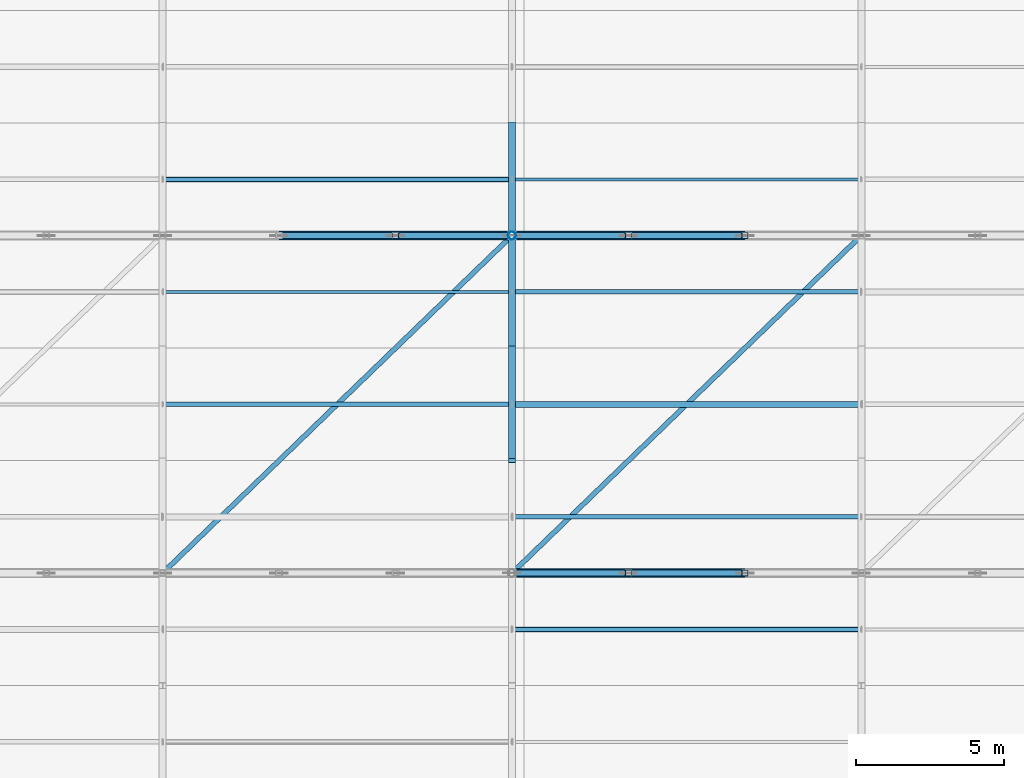
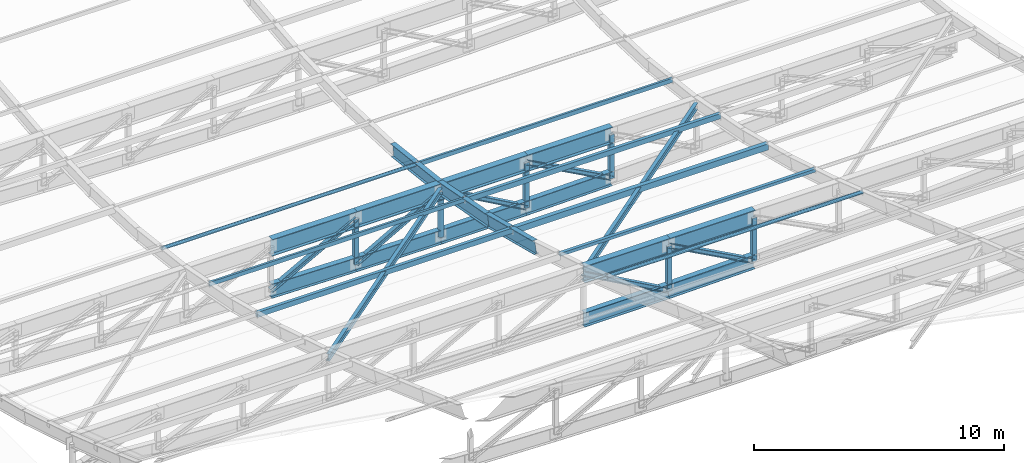
# One storey, part 14 of 65: 25 members, 12 beams.
"""IFC4 building model written with IfcOpenShell, lengths in metres."""

from ifc_helpers import new_model, si_unit, direction, frame, origin, origin_2d, place, context, subcontext, project, spatial, hollow_rectangle, hollow_circle, i_section, extrude, material, material_profile, profile_set, type_object, element, save


model = new_model("IFC4")

# Units and contexts
model_context = context("Model", 3, precision=1e-05, world=origin(), true_north=direction((0.0, 1.0)))
body_context = subcontext(model_context, "Body", "Model", "MODEL_VIEW")
ifc_project = project(units=[si_unit("LENGTHUNIT", "METRE"), si_unit("AREAUNIT", "SQUARE_METRE"), si_unit("VOLUMEUNIT", "CUBIC_METRE"), si_unit("PLANEANGLEUNIT", "RADIAN"), si_unit("MASSUNIT", "GRAM", prefix="KILO"), si_unit("POWERUNIT", "WATT"), si_unit("THERMODYNAMICTEMPERATUREUNIT", "KELVIN")], contexts=[model_context])

# Site, building, storey
site_placement = place(None, origin())
site = spatial("IfcSite", under=ifc_project, at=site_placement, CompositionType="ELEMENT")
building_placement = place(site_placement, origin())
building = spatial("IfcBuilding", under=site, at=building_placement, Name="Kelmbourne Parkland Aquatics Centre", CompositionType="ELEMENT")
storey_placement = place(building_placement, frame((0.0, 0.0, 27.0)))
storey = spatial("IfcBuildingStorey", under=building, at=storey_placement, Name="RF", CompositionType="ELEMENT", Elevation=27.0)

# Members
ifc_material_1 = material(Name="Structural steel AS/NZS 3679.1 Grade 300", Category="steel")
ifc_material_profile_1 = material_profile(ifc_material_1, i_section(OverallWidth=0.166015625, OverallDepth=0.306884765625, WebThickness=0.006591796875, FlangeThickness=0.01171875, at=origin_2d()), Name="310UB46.2")
ifc_profile_set_1 = profile_set([ifc_material_profile_1], Name="Structural steel AS/NZS 3679.1 Grade 300")
member_type_1 = type_object("IfcMemberType", Name="MB-BR-I", PredefinedType="BRACE", material=ifc_profile_set_1)
member_1_placement = place(storey_placement, frame((139.80712890625, 35.0068359375, -9.568359375), z_axis=(0.708582480884, 0.684569204059, -0.171101936399), x_axis=(-0.694815416631, 0.719188109476, 0.0)))
element("IfcMember", 1, at=member_1_placement, inside=storey, type_object=member_type_1, Name="Roof wind diagonal brace B4-36", PredefinedType="BRACE", context=body_context, shape_type="SweptSolid", body=[
    extrude(i_section(OverallWidth=0.166015625, OverallDepth=0.306884765625, WebThickness=0.006591796875, FlangeThickness=0.01171875, at=origin_2d()), origin(), (0.0, 0.0, 1.0), 16.633056640625),
])
member_2_placement = place(storey_placement, frame((151.607177734375, 35.0068359375, -9.568359375), z_axis=(0.708575172413, 0.684576324029, -0.171103715972), x_axis=(-0.694822861116, 0.719180917204, 0.0)))
element("IfcMember", 2, at=member_2_placement, inside=storey, type_object=member_type_1, Name="Roof wind diagonal brace B4-69", PredefinedType="BRACE", context=body_context, shape_type="SweptSolid", body=[
    extrude(i_section(OverallWidth=0.166015625, OverallDepth=0.306884765625, WebThickness=0.006591796875, FlangeThickness=0.01171875, at=origin_2d()), origin(), (0.0, 0.0, 1.0), 16.6328125),
])
ifc_material_profile_2 = material_profile(ifc_material_1, i_section(OverallWidth=0.205078125, OverallDepth=0.2099609375, WebThickness=0.00927734375, FlangeThickness=0.01416015625, at=origin_2d()), Name="200UC59.5")
ifc_profile_set_2 = profile_set([ifc_material_profile_2], Name="Structural steel AS/NZS 3679.1 Grade 300")
member_type_2 = type_object("IfcMemberType", Name="MB-DIAG3", PredefinedType="STRUT", material=ifc_profile_set_2)
member_3_placement = place(storey_placement, frame((151.60009765625, 35.0, -9.566650390625), z_axis=(0.87212726535, 0.0, -0.489279095235), x_axis=(0.0, 1.0, 0.0)))
element("IfcMember", 3, at=member_3_placement, inside=storey, type_object=member_type_2, Name="Roof truss R03 web diagonal 7", PredefinedType="STRUT", context=body_context, shape_type="SweptSolid", body=[
    extrude(i_section(OverallWidth=0.205078125, OverallDepth=0.2099609375, WebThickness=0.00927734375, FlangeThickness=0.01416015625, at=origin_2d()), origin(), (0.0, 0.0, 1.0), 4.509765625),
])
member_4_placement = place(storey_placement, frame((155.533203125, 35.0, -9.566650390625), z_axis=(0.878819450955, 0.0, -0.477154453634), x_axis=(0.0, 1.0, 0.0)))
element("IfcMember", 4, at=member_4_placement, inside=storey, type_object=member_type_2, Name="Roof truss R03 web diagonal 8", PredefinedType="STRUT", context=body_context, shape_type="SweptSolid", body=[
    extrude(i_section(OverallWidth=0.205078125, OverallDepth=0.2099609375, WebThickness=0.00927734375, FlangeThickness=0.01416015625, at=origin_2d()), origin(), (0.0, 0.0, 1.0), 4.47607421875),
])
member_5_placement = place(storey_placement, frame((143.7333984375, 46.39990234375, -14.551513671875), z_axis=(0.878829905293, 0.0, 0.477135198411), x_axis=(0.0, 1.0, 0.0)))
element("IfcMember", 5, at=member_5_placement, inside=storey, type_object=member_type_2, Name="Roof truss R04 web diagonal 5", PredefinedType="STRUT", context=body_context, shape_type="SweptSolid", body=[
    extrude(i_section(OverallWidth=0.205078125, OverallDepth=0.2099609375, WebThickness=0.00927734375, FlangeThickness=0.01416015625, at=origin_2d()), origin(), (0.0, 0.0, 1.0), 4.4755859375),
])
for number, where, z_axis, x_axis, name in (
    (6, (147.666748046875, 46.39990234375, -14.622314453125), (0.872163322486, 0.0, 0.489214818776), (0.0, 1.0, 0.0), "Roof truss R04 web diagonal 6"),
    (7, (151.60009765625, 46.39990234375, -12.416015625), (0.872150365461, 0.0, -0.489237917608), (0.0, 1.0, 0.0), "Roof truss R04 web diagonal 7"),
):
    element("IfcMember", number, at=place(storey_placement, frame(where, z_axis=z_axis, x_axis=x_axis)), inside=storey, type_object=member_type_2, Name=name, PredefinedType="STRUT", context=body_context, shape_type="SweptSolid", body=[
        extrude(i_section(OverallWidth=0.205078125, OverallDepth=0.2099609375, WebThickness=0.00927734375, FlangeThickness=0.01416015625, at=origin_2d()), origin(), (0.0, 0.0, 1.0), 4.509765625),
    ])
member_6_placement = place(storey_placement, frame((155.533203125, 46.39990234375, -12.416015625), z_axis=(0.878842322789, 0.0, -0.477112326057), x_axis=(0.0, 1.0, 0.0)))
element("IfcMember", 8, at=member_6_placement, inside=storey, type_object=member_type_2, Name="Roof truss R04 web diagonal 8", PredefinedType="STRUT", context=body_context, shape_type="SweptSolid", body=[
    extrude(i_section(OverallWidth=0.205078125, OverallDepth=0.2099609375, WebThickness=0.00927734375, FlangeThickness=0.01416015625, at=origin_2d()), origin(), (0.0, 0.0, 1.0), 4.475830078125),
])
ifc_material_profile_3 = material_profile(ifc_material_1, i_section(OverallWidth=0.22900390625, OverallDepth=0.612060546875, WebThickness=0.011962890625, FlangeThickness=0.01953125, at=origin_2d()), Name="610UB125")
ifc_profile_set_3 = profile_set([ifc_material_profile_3], Name="Structural steel AS/NZS 3679.1 Grade 300")
member_type_3 = type_object("IfcMemberType", Name="MB-LRIB", PredefinedType="STRUT", material=ifc_profile_set_3)
member_7_placement = place(storey_placement, frame((151.60009765625, 38.800048828125, -10.603271484375), z_axis=(0.0, 0.96918642233, -0.246328396193), x_axis=(-1.0, 0.0, 0.0)))
element("IfcMember", 9, at=member_7_placement, inside=storey, type_object=member_type_3, Name="Longitudinal wave rib K6 strip 11", PredefinedType="STRUT", context=body_context, shape_type="SweptSolid", body=[
    extrude(i_section(OverallWidth=0.22900390625, OverallDepth=0.612060546875, WebThickness=0.011962890625, FlangeThickness=0.01953125, at=origin_2d()), origin(), (0.0, 0.0, 1.0), 3.9208984375),
])
member_8_placement = place(storey_placement, frame((151.60009765625, 42.60009765625, -11.569091796875), z_axis=(0.0, 0.982194109661, -0.187868919588), x_axis=(-1.0, 0.0, 0.0)))
element("IfcMember", 10, at=member_8_placement, inside=storey, type_object=member_type_3, Name="Longitudinal wave rib K6 strip 12", PredefinedType="STRUT", context=body_context, shape_type="SweptSolid", body=[
    extrude(i_section(OverallWidth=0.22900390625, OverallDepth=0.612060546875, WebThickness=0.011962890625, FlangeThickness=0.01953125, at=origin_2d()), origin(), (0.0, 0.0, 1.0), 3.86865234375),
])
member_9_placement = place(storey_placement, frame((151.60009765625, 46.39990234375, -12.2958984375), z_axis=(0.0, 0.993025491234, -0.117899846309), x_axis=(-1.0, 0.0, 0.0)))
element("IfcMember", 11, at=member_9_placement, inside=storey, type_object=member_type_3, Name="Longitudinal wave rib K6 strip 13", PredefinedType="STRUT", context=body_context, shape_type="SweptSolid", body=[
    extrude(i_section(OverallWidth=0.22900390625, OverallDepth=0.612060546875, WebThickness=0.011962890625, FlangeThickness=0.01953125, at=origin_2d()), origin(), (0.0, 0.0, 1.0), 3.82666015625),
])
ifc_material_2 = material(Name="Cold-formed hollow steel AS/NZS 1163 C350L0", Category="steel")
ifc_material_profile_4 = material_profile(ifc_material_2, hollow_rectangle(XDim=0.199951171875, YDim=0.199951171875, WallThickness=0.010009765625, at=origin_2d()), Name="SHS 200x200x10.0")
ifc_profile_set_4 = profile_set([ifc_material_profile_4], Name="Cold-formed hollow steel AS/NZS 1163 C350L0")
member_type_4 = type_object("IfcMemberType", Name="MB-POST1", PredefinedType="STRUT", material=ifc_profile_set_4)
member_10_placement = place(storey_placement, frame((155.533203125, 35.0, -11.773193359375), z_axis=(0.0, 0.0, 1.0), x_axis=(1.0, 0.0, 0.0)))
element("IfcMember", 12, at=member_10_placement, inside=storey, type_object=member_type_4, Name="Roof truss R03 vertical post 7", PredefinedType="STRUT", context=body_context, shape_type="SweptSolid", body=[
    extrude(hollow_rectangle(XDim=0.199951171875, YDim=0.199951171875, WallThickness=0.010009765625, at=origin_2d()), origin(), (0.0, 0.0, 1.0), 2.20654296875),
])
member_11_placement = place(storey_placement, frame((159.466796875, 35.0, -11.702392578125), z_axis=(0.0, 0.0, 1.0), x_axis=(1.0, 0.0, 0.0)))
element("IfcMember", 13, at=member_11_placement, inside=storey, type_object=member_type_4, Name="Roof truss R03 vertical post 8", PredefinedType="STRUT", context=body_context, shape_type="SweptSolid", body=[
    extrude(hollow_rectangle(XDim=0.199951171875, YDim=0.199951171875, WallThickness=0.010009765625, at=origin_2d()), origin(), (0.0, 0.0, 1.0), 2.1357421875),
])
for number, where, z_axis, x_axis, name in (
    (14, (147.666748046875, 46.39990234375, -14.622314453125), (0.0, 0.0, 1.0), (1.0, 0.0, 0.0), "Roof truss R04 vertical post 5"),
    (15, (155.533203125, 46.39990234375, -14.622314453125), (0.0, 0.0, 1.0), (1.0, 0.0, 0.0), "Roof truss R04 vertical post 7"),
):
    element("IfcMember", number, at=place(storey_placement, frame(where, z_axis=z_axis, x_axis=x_axis)), inside=storey, type_object=member_type_4, Name=name, PredefinedType="STRUT", context=body_context, shape_type="SweptSolid", body=[
        extrude(hollow_rectangle(XDim=0.199951171875, YDim=0.199951171875, WallThickness=0.010009765625, at=origin_2d()), origin(), (0.0, 0.0, 1.0), 2.206298828125),
    ])
member_12_placement = place(storey_placement, frame((159.466796875, 46.39990234375, -14.551513671875), z_axis=(0.0, 0.0, 1.0), x_axis=(1.0, 0.0, 0.0)))
element("IfcMember", 16, at=member_12_placement, inside=storey, type_object=member_type_4, Name="Roof truss R04 vertical post 8", PredefinedType="STRUT", context=body_context, shape_type="SweptSolid", body=[
    extrude(hollow_rectangle(XDim=0.199951171875, YDim=0.199951171875, WallThickness=0.010009765625, at=origin_2d()), origin(), (0.0, 0.0, 1.0), 2.135498046875),
])
ifc_material_profile_5 = material_profile(ifc_material_2, hollow_circle(Radius=0.136474609375, WallThickness=0.00927734375, at=origin_2d()), Name="CHS 273.1x9.3")
ifc_profile_set_5 = profile_set([ifc_material_profile_5], Name="Cold-formed hollow steel AS/NZS 1163 C350L0")
member_type_5 = type_object("IfcMemberType", Name="MB-POST2", PredefinedType="STRUT", material=ifc_profile_set_5)
member_13_placement = place(storey_placement, frame((151.60009765625, 46.39990234375, -14.64599609375), z_axis=(0.0, 0.0, 1.0), x_axis=(1.0, 0.0, 0.0)))
element("IfcMember", 17, at=member_13_placement, inside=storey, type_object=member_type_5, Name="Roof truss R04 vertical post 6", PredefinedType="STRUT", context=body_context, shape_type="SweptSolid", body=[
    extrude(hollow_circle(Radius=0.136474609375, WallThickness=0.00927734375, at=origin_2d()), origin(), (0.0, 0.0, 1.0), 2.22998046875),
])
ifc_material_profile_6 = material_profile(ifc_material_2, hollow_rectangle(XDim=0.10009765625, YDim=0.199951171875, WallThickness=0.006103515625, at=origin_2d()), Name="RHS 200x100x6.0")
ifc_profile_set_6 = profile_set([ifc_material_profile_6], Name="Cold-formed hollow steel AS/NZS 1163 C350L0")
member_type_6 = type_object("IfcMemberType", Name="MB-PUR1", PredefinedType="PURLIN", material=ifc_profile_set_6)
member_14_placement = place(storey_placement, frame((139.800048828125, 44.5, -11.722412109375), z_axis=(1.0, 0.0, 0.0), x_axis=(0.0, 1.0, 0.0)))
element("IfcMember", 18, at=member_14_placement, inside=storey, type_object=member_type_6, Name="Wave roof purlin S12-G2", PredefinedType="PURLIN", context=body_context, shape_type="SweptSolid", body=[
    extrude(hollow_rectangle(XDim=0.10009765625, YDim=0.199951171875, WallThickness=0.006103515625, at=origin_2d()), origin(), (0.0, 0.0, 1.0), 11.800048828125),
])
member_15_placement = place(storey_placement, frame((151.60009765625, 48.300048828125, -12.3115234375), z_axis=(1.0, 0.0, 0.0), x_axis=(0.0, 1.0, 0.0)))
element("IfcMember", 19, at=member_15_placement, inside=storey, type_object=member_type_6, Name="Wave roof purlin S13-G3", PredefinedType="PURLIN", context=body_context, shape_type="SweptSolid", body=[
    extrude(hollow_rectangle(XDim=0.10009765625, YDim=0.199951171875, WallThickness=0.006103515625, at=origin_2d()), origin(), (0.0, 0.0, 1.0), 11.7998046875),
])
ifc_material_profile_7 = material_profile(ifc_material_2, hollow_rectangle(XDim=0.14990234375, YDim=0.25, WallThickness=0.009033203125, at=origin_2d()), Name="RHS 250x150x9.0")
ifc_profile_set_7 = profile_set([ifc_material_profile_7], Name="Cold-formed hollow steel AS/NZS 1163 C350L0")
member_type_7 = type_object("IfcMemberType", Name="MB-PUR2", PredefinedType="PURLIN", material=ifc_profile_set_7)
member_16_placement = place(storey_placement, frame((139.800048828125, 40.699951171875, -10.9013671875), z_axis=(1.0, 0.0, 0.0), x_axis=(0.0, 1.0, 0.0)))
element("IfcMember", 20, at=member_16_placement, inside=storey, type_object=member_type_7, Name="Wave roof purlin S11-G2", PredefinedType="PURLIN", context=body_context, shape_type="SweptSolid", body=[
    extrude(hollow_rectangle(XDim=0.14990234375, YDim=0.25, WallThickness=0.009033203125, at=origin_2d()), origin(), (0.0, 0.0, 1.0), 11.800048828125),
])
member_17_placement = place(storey_placement, frame((151.60009765625, 44.5, -11.74755859375), z_axis=(1.0, 0.0, 0.0), x_axis=(0.0, 1.0, 0.0)))
element("IfcMember", 21, at=member_17_placement, inside=storey, type_object=member_type_7, Name="Wave roof purlin S12-G3", PredefinedType="PURLIN", context=body_context, shape_type="SweptSolid", body=[
    extrude(hollow_rectangle(XDim=0.14990234375, YDim=0.25, WallThickness=0.009033203125, at=origin_2d()), origin(), (0.0, 0.0, 1.0), 11.7998046875),
])
ifc_material_profile_8 = material_profile(ifc_material_2, hollow_rectangle(XDim=0.199951171875, YDim=0.300048828125, WallThickness=0.010009765625, at=origin_2d()), Name="RHS 300x200x10.0")
ifc_profile_set_8 = profile_set([ifc_material_profile_8], Name="Cold-formed hollow steel AS/NZS 1163 C350L0")
member_type_8 = type_object("IfcMemberType", Name="MB-PUR3", PredefinedType="PURLIN", material=ifc_profile_set_8)
member_18_placement = place(storey_placement, frame((151.60009765625, 40.699951171875, -10.92626953125), z_axis=(1.0, 0.0, 0.0), x_axis=(0.0, 1.0, 0.0)))
element("IfcMember", 22, at=member_18_placement, inside=storey, type_object=member_type_8, Name="Wave roof purlin S11-G3", PredefinedType="PURLIN", context=body_context, shape_type="SweptSolid", body=[
    extrude(hollow_rectangle(XDim=0.199951171875, YDim=0.300048828125, WallThickness=0.010009765625, at=origin_2d()), origin(), (0.0, 0.0, 1.0), 11.7998046875),
])
ifc_material_profile_9 = material_profile(ifc_material_2, hollow_rectangle(XDim=0.14990234375, YDim=0.14990234375, WallThickness=0.009033203125, at=origin_2d()), Name="SHS 150x150x9.0")
ifc_profile_set_9 = profile_set([ifc_material_profile_9], Name="Cold-formed hollow steel AS/NZS 1163 C350L0")
member_type_9 = type_object("IfcMemberType", Name="MB-PUR4", PredefinedType="PURLIN", material=ifc_profile_set_9)
member_19_placement = place(storey_placement, frame((151.60009765625, 36.89990234375, -9.7900390625), z_axis=(1.0, 0.0, 0.0), x_axis=(0.0, 1.0, 0.0)))
element("IfcMember", 23, at=member_19_placement, inside=storey, type_object=member_type_9, Name="Wave roof purlin S10-G3", PredefinedType="PURLIN", context=body_context, shape_type="SweptSolid", body=[
    extrude(hollow_rectangle(XDim=0.14990234375, YDim=0.14990234375, WallThickness=0.009033203125, at=origin_2d()), origin(), (0.0, 0.0, 1.0), 11.7998046875),
])
ifc_material_profile_10 = material_profile(ifc_material_2, hollow_circle(Radius=0.084228515625, WallThickness=0.007080078125, at=origin_2d()), Name="CHS 168.3x7.1")
ifc_profile_set_10 = profile_set([ifc_material_profile_10], Name="Cold-formed hollow steel AS/NZS 1163 C350L0")
member_type_10 = type_object("IfcMemberType", Name="MB-PUR5", PredefinedType="PURLIN", material=ifc_profile_set_10)
member_20_placement = place(storey_placement, frame((151.60009765625, 33.10009765625, -8.576171875), z_axis=(1.0, 0.0, 0.0), x_axis=(0.0, 1.0, 0.0)))
element("IfcMember", 24, at=member_20_placement, inside=storey, type_object=member_type_10, Name="Wave roof purlin S09-G3", PredefinedType="PURLIN", context=body_context, shape_type="SweptSolid", body=[
    extrude(hollow_circle(Radius=0.084228515625, WallThickness=0.007080078125, at=origin_2d()), origin(), (0.0, 0.0, 1.0), 11.7998046875),
])
member_21_placement = place(storey_placement, frame((139.800048828125, 48.300048828125, -12.295654296875), z_axis=(1.0, 0.0, 0.0), x_axis=(0.0, 1.0, 0.0)))
element("IfcMember", 25, at=member_21_placement, inside=storey, type_object=member_type_10, Name="Wave roof purlin S13-G2", PredefinedType="PURLIN", context=body_context, shape_type="SweptSolid", body=[
    extrude(hollow_circle(Radius=0.084228515625, WallThickness=0.007080078125, at=origin_2d()), origin(), (0.0, 0.0, 1.0), 11.800048828125),
])

# Beams
ifc_material_3 = material(Name="Welded plate steel AS/NZS 3678 Grade 350", Category="steel")
ifc_material_profile_11 = material_profile(ifc_material_3, i_section(OverallWidth=0.25, OverallDepth=0.699951171875, WebThickness=0.010009765625, FlangeThickness=0.02001953125, at=origin_2d()), Name="700WB130")
ifc_profile_set_11 = profile_set([ifc_material_profile_11], Name="Welded plate steel AS/NZS 3678 Grade 350")
beam_type_1 = type_object("IfcBeamType", Name="TR-BC2", PredefinedType="BEAM", material=ifc_profile_set_11)
beam_1_placement = place(storey_placement, frame((151.60009765625, 35.0, -11.796630859375), z_axis=(0.999982245444, 0.0, 0.005958925857), x_axis=(0.0, 1.0, 0.0)))
element("IfcBeam", 26, at=beam_1_placement, inside=storey, type_object=beam_type_1, Name="Roof truss R03 bottom chord 7", PredefinedType="BEAM", context=body_context, shape_type="SweptSolid", body=[
    extrude(i_section(OverallWidth=0.25, OverallDepth=0.699951171875, WebThickness=0.010009765625, FlangeThickness=0.02001953125, at=origin_2d()), origin(), (0.0, 0.0, 1.0), 3.93310546875),
])
beam_2_placement = place(storey_placement, frame((155.533203125, 35.0, -11.773193359375), z_axis=(0.999838057221, 0.0, 0.017996092142), x_axis=(0.0, 1.0, 0.0)))
element("IfcBeam", 27, at=beam_2_placement, inside=storey, type_object=beam_type_1, Name="Roof truss R03 bottom chord 8", PredefinedType="BEAM", context=body_context, shape_type="SweptSolid", body=[
    extrude(i_section(OverallWidth=0.25, OverallDepth=0.699951171875, WebThickness=0.010009765625, FlangeThickness=0.02001953125, at=origin_2d()), origin(), (0.0, 0.0, 1.0), 3.934326171875),
])
beam_3_placement = place(storey_placement, frame((143.7333984375, 46.39990234375, -14.551513671875), z_axis=(0.999838037122, 0.0, -0.017997208787), x_axis=(0.0, 1.0, 0.0)))
element("IfcBeam", 28, at=beam_3_placement, inside=storey, type_object=beam_type_1, Name="Roof truss R04 bottom chord 5", PredefinedType="BEAM", context=body_context, shape_type="SweptSolid", body=[
    extrude(i_section(OverallWidth=0.25, OverallDepth=0.699951171875, WebThickness=0.010009765625, FlangeThickness=0.02001953125, at=origin_2d()), origin(), (0.0, 0.0, 1.0), 3.93408203125),
])
beam_4_placement = place(storey_placement, frame((147.666748046875, 46.39990234375, -14.622314453125), z_axis=(0.999981875891, 0.0, -0.006020622057), x_axis=(0.0, 1.0, 0.0)))
element("IfcBeam", 29, at=beam_4_placement, inside=storey, type_object=beam_type_1, Name="Roof truss R04 bottom chord 6", PredefinedType="BEAM", context=body_context, shape_type="SweptSolid", body=[
    extrude(i_section(OverallWidth=0.25, OverallDepth=0.699951171875, WebThickness=0.010009765625, FlangeThickness=0.02001953125, at=origin_2d()), origin(), (0.0, 0.0, 1.0), 3.933349609375),
])
beam_5_placement = place(storey_placement, frame((151.60009765625, 46.39990234375, -14.64599609375), z_axis=(0.999981873641, 0.0, 0.006020995763), x_axis=(0.0, 1.0, 0.0)))
element("IfcBeam", 30, at=beam_5_placement, inside=storey, type_object=beam_type_1, Name="Roof truss R04 bottom chord 7", PredefinedType="BEAM", context=body_context, shape_type="SweptSolid", body=[
    extrude(i_section(OverallWidth=0.25, OverallDepth=0.699951171875, WebThickness=0.010009765625, FlangeThickness=0.02001953125, at=origin_2d()), origin(), (0.0, 0.0, 1.0), 3.93310546875),
])
beam_6_placement = place(storey_placement, frame((155.533203125, 46.39990234375, -14.622314453125), z_axis=(0.999838057221, 0.0, 0.017996092142), x_axis=(0.0, 1.0, 0.0)))
element("IfcBeam", 31, at=beam_6_placement, inside=storey, type_object=beam_type_1, Name="Roof truss R04 bottom chord 8", PredefinedType="BEAM", context=body_context, shape_type="SweptSolid", body=[
    extrude(i_section(OverallWidth=0.25, OverallDepth=0.699951171875, WebThickness=0.010009765625, FlangeThickness=0.02001953125, at=origin_2d()), origin(), (0.0, 0.0, 1.0), 3.934326171875),
])
ifc_material_profile_12 = material_profile(ifc_material_3, i_section(OverallWidth=0.300048828125, OverallDepth=0.81591796875, WebThickness=0.011962890625, FlangeThickness=0.028076171875, at=origin_2d()), Name="800WB192")
ifc_profile_set_12 = profile_set([ifc_material_profile_12], Name="Welded plate steel AS/NZS 3678 Grade 350")
beam_type_2 = type_object("IfcBeamType", Name="TR-TC2", PredefinedType="BEAM", material=ifc_profile_set_12)
beam_7_placement = place(storey_placement, frame((151.60009765625, 35.0, -9.566650390625), z_axis=(1.0, 0.0, 0.0), x_axis=(0.0, 1.0, 0.0)))
element("IfcBeam", 32, at=beam_7_placement, inside=storey, type_object=beam_type_2, Name="Roof truss R03 top chord 7", PredefinedType="BEAM", context=body_context, shape_type="SweptSolid", body=[
    extrude(i_section(OverallWidth=0.300048828125, OverallDepth=0.81591796875, WebThickness=0.011962890625, FlangeThickness=0.028076171875, at=origin_2d()), origin(), (0.0, 0.0, 1.0), 3.93310546875),
])
beam_8_placement = place(storey_placement, frame((155.533203125, 35.0, -9.566650390625), z_axis=(1.0, 0.0, 0.0), x_axis=(0.0, 1.0, 0.0)))
element("IfcBeam", 33, at=beam_8_placement, inside=storey, type_object=beam_type_2, Name="Roof truss R03 top chord 8", PredefinedType="BEAM", context=body_context, shape_type="SweptSolid", body=[
    extrude(i_section(OverallWidth=0.300048828125, OverallDepth=0.81591796875, WebThickness=0.011962890625, FlangeThickness=0.028076171875, at=origin_2d()), origin(), (0.0, 0.0, 1.0), 3.93359375),
])
for number, where, z_axis, x_axis, name in (
    (34, (143.7333984375, 46.39990234375, -12.416015625), (1.0, 0.0, 0.0), (0.0, 1.0, 0.0), "Roof truss R04 top chord 5"),
    (35, (147.666748046875, 46.39990234375, -12.416015625), (1.0, 0.0, 0.0), (0.0, 1.0, 0.0), "Roof truss R04 top chord 6"),
):
    element("IfcBeam", number, at=place(storey_placement, frame(where, z_axis=z_axis, x_axis=x_axis)), inside=storey, type_object=beam_type_2, Name=name, PredefinedType="BEAM", context=body_context, shape_type="SweptSolid", body=[
        extrude(i_section(OverallWidth=0.300048828125, OverallDepth=0.81591796875, WebThickness=0.011962890625, FlangeThickness=0.028076171875, at=origin_2d()), origin(), (0.0, 0.0, 1.0), 3.933349609375),
    ])
beam_9_placement = place(storey_placement, frame((151.60009765625, 46.39990234375, -12.416015625), z_axis=(1.0, 0.0, 0.0), x_axis=(0.0, 1.0, 0.0)))
element("IfcBeam", 36, at=beam_9_placement, inside=storey, type_object=beam_type_2, Name="Roof truss R04 top chord 7", PredefinedType="BEAM", context=body_context, shape_type="SweptSolid", body=[
    extrude(i_section(OverallWidth=0.300048828125, OverallDepth=0.81591796875, WebThickness=0.011962890625, FlangeThickness=0.028076171875, at=origin_2d()), origin(), (0.0, 0.0, 1.0), 3.93310546875),
])
beam_10_placement = place(storey_placement, frame((155.533203125, 46.39990234375, -12.416015625), z_axis=(1.0, 0.0, 0.0), x_axis=(0.0, 1.0, 0.0)))
element("IfcBeam", 37, at=beam_10_placement, inside=storey, type_object=beam_type_2, Name="Roof truss R04 top chord 8", PredefinedType="BEAM", context=body_context, shape_type="SweptSolid", body=[
    extrude(i_section(OverallWidth=0.300048828125, OverallDepth=0.81591796875, WebThickness=0.011962890625, FlangeThickness=0.028076171875, at=origin_2d()), origin(), (0.0, 0.0, 1.0), 3.93359375),
])

save(model, "model.ifc")
